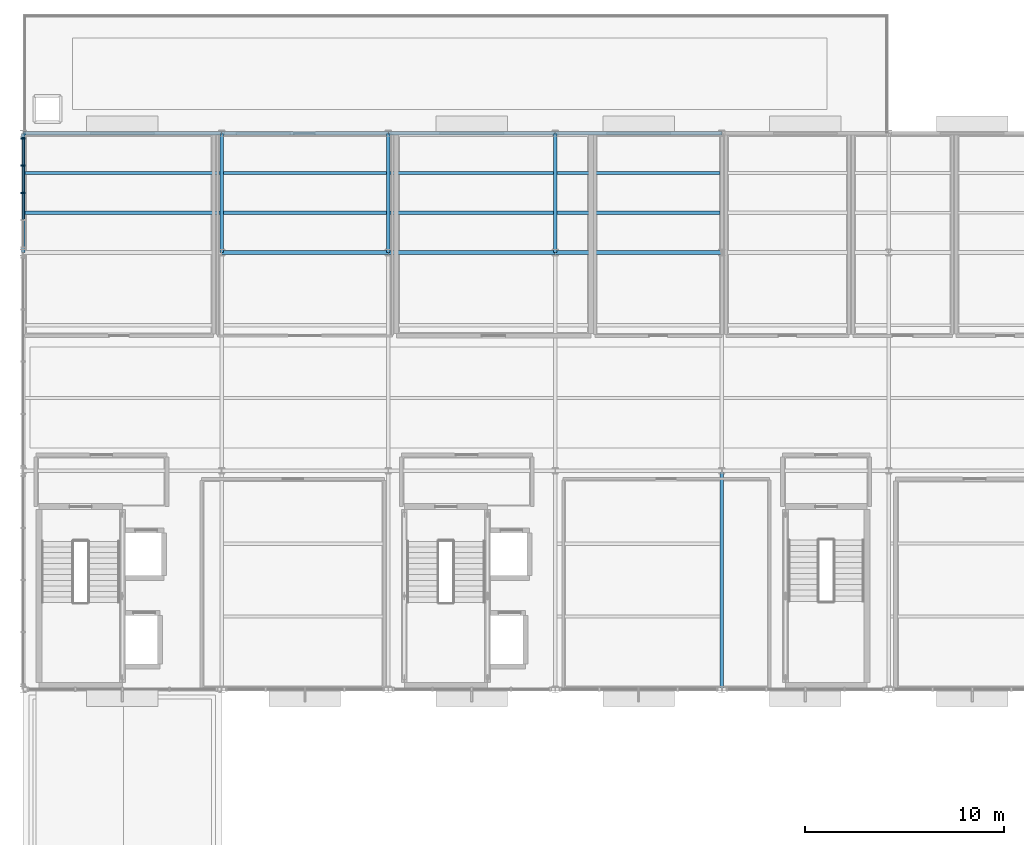
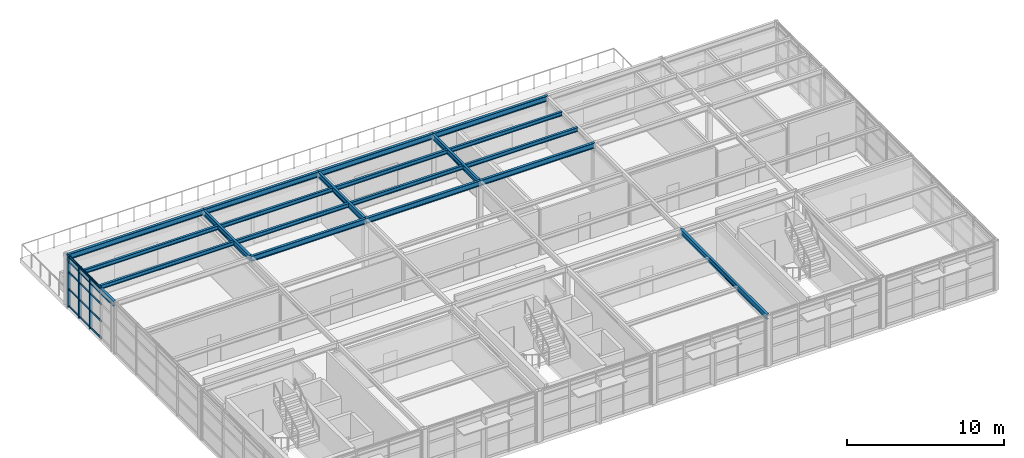
# One storey, part 9 of 21: 20 beams, 15 members, 1 element without a shape of its own.
"""IFC4 building model written with IfcOpenShell, lengths in metres."""

import ifcopenshell
import ifcopenshell.guid

model = None  # the IFC model being written
_history = None  # IfcOwnerHistory: only IFC2X3 demands one
_inside = {}  # id of a spatial element -> (the spatial element, [elements in it])
_under = {}  # id of a project, library or spatial element -> (it, [spatial elements below it])
_declared = {}  # id of a project -> (the project, [libraries it declares])
_typed = {}  # id of a type object -> (the type object, [elements of that type])
_made_of = {}  # id of a material, layer set ... -> (it, [elements and type objects made of it])


def new_model(schema):
    """Start an empty IFC model of exactly this schema.

    Asked for "IFC4X3", IfcOpenShell would pick the latest addendum, in which some entities
    have other attributes; the version numbers below select the first issue.
    IFC2X3 requires an IfcOwnerHistory on every rooted entity: one is made here for all.
    """
    global model, _history
    if schema == "IFC4X3":
        model = ifcopenshell.file(schema_version=(4, 3, 0, 0))
    else:
        model = ifcopenshell.file(schema=schema)
    _inside.clear()
    _under.clear()
    _declared.clear()
    _typed.clear()
    _made_of.clear()
    _history = None
    if model.schema == "IFC2X3":
        org = make("IfcOrganization", Name="unknown")
        user = make(
            "IfcPersonAndOrganization",
            ThePerson=make("IfcPerson", FamilyName="unknown"),
            TheOrganization=org,
        )
        app = make(
            "IfcApplication",
            ApplicationDeveloper=org,
            Version="unknown",
            ApplicationFullName="unknown",
            ApplicationIdentifier="unknown",
        )
        _history = make(
            "IfcOwnerHistory",
            OwningUser=user,
            OwningApplication=app,
            ChangeAction="ADDED",
            CreationDate=0,
        )
    return model


def make(cls, **values):
    """One entity of the class cls with the attributes given. An attribute that is None is left unset."""
    return model.create_entity(
        cls, **{name: value for name, value in values.items() if value is not None}
    )


def rooted(cls, **values):
    """An entity with a GlobalId (a new one), such as an element, a storey or a relation."""
    return make(cls, GlobalId=ifcopenshell.guid.new(), OwnerHistory=_history, **values)


def si_unit(unit_type, name, prefix=None):
    """IfcSIUnit, for example si_unit("LENGTHUNIT", "METRE", prefix="MILLI")."""
    return make("IfcSIUnit", UnitType=unit_type, Prefix=prefix, Name=name)


def assignment(units):
    """IfcUnitAssignment: the units of a project."""
    return None if units is None else make("IfcUnitAssignment", Units=units)


def point(xyz):
    """IfcCartesianPoint."""
    return None if xyz is None else make("IfcCartesianPoint", Coordinates=xyz)


def direction(xyz):
    """IfcDirection."""
    return None if xyz is None else make("IfcDirection", DirectionRatios=xyz)


def frame(location, z_axis=None, x_axis=None):
    """IfcAxis2Placement3D, a coordinate frame: its origin and axes. An axis left out is left unset."""
    return make(
        "IfcAxis2Placement3D",
        Location=point(location),
        Axis=direction(z_axis),
        RefDirection=direction(x_axis),
    )


def frame_2d(location, x_axis=None):
    """IfcAxis2Placement2D, a coordinate frame in the plane: its origin and x axis."""
    return make(
        "IfcAxis2Placement2D", Location=point(location), RefDirection=direction(x_axis)
    )


def origin():
    """The frame at (0, 0, 0) with its axes left unset."""
    return frame((0.0, 0.0, 0.0))


def origin_2d():
    """The frame at (0, 0) in the plane with its x axis left unset."""
    return frame_2d((0.0, 0.0))


def place(relative_to, where):
    """IfcLocalPlacement: puts the frame where relative to a parent placement (None: the world)."""
    return make(
        "IfcLocalPlacement", PlacementRelTo=relative_to, RelativePlacement=where
    )


def context(
    kind, dimensions, precision=None, world=None, true_north=None, identifier=None
):
    """IfcGeometricRepresentationContext, for example the 3D "Model" context."""
    return make(
        "IfcGeometricRepresentationContext",
        ContextIdentifier=identifier,
        ContextType=kind,
        CoordinateSpaceDimension=dimensions,
        Precision=precision,
        WorldCoordinateSystem=world,
        TrueNorth=true_north,
    )


def subcontext(parent, identifier, kind, view, scale=None):
    """IfcGeometricRepresentationSubContext, for example "Body" below "Model"."""
    return make(
        "IfcGeometricRepresentationSubContext",
        ContextIdentifier=identifier,
        ContextType=kind,
        ParentContext=parent,
        TargetScale=scale,
        TargetView=view,
    )


def project(units=None, contexts=None):
    """IfcProject with its units and contexts."""
    return rooted(
        "IfcProject",
        Name="project",
        RepresentationContexts=contexts,
        UnitsInContext=assignment(units),
    )


def spatial(cls, under=None, at=None, **own):
    """A site, building, storey or space (cls), placed at a placement, below another one or the project."""
    s = rooted(cls, ObjectPlacement=at, **own)
    if under is not None:
        _under.setdefault(under.id(), (under, []))[1].append(s)
    return s


def profile(cls, at=None, kind="AREA", **sizes):
    """A parametric profile (cls). Its sizes go by their IFC names, for example OverallWidth=200.0."""
    return make(cls, ProfileType=kind, Position=at, **sizes)


def rectangle(**sizes):
    """IfcRectangleProfileDef."""
    return profile("IfcRectangleProfileDef", **sizes)


def i_section(**sizes):
    """IfcIShapeProfileDef."""
    return profile("IfcIShapeProfileDef", **sizes)


def extrude(swept, where, along, depth):
    """IfcExtrudedAreaSolid: the profile swept, set in the frame where, extruded along a direction by depth."""
    return make(
        "IfcExtrudedAreaSolid",
        SweptArea=swept,
        Position=where,
        ExtrudedDirection=direction(along),
        Depth=depth,
    )


def shape(context_of_items, identifier, shape_type, items):
    """IfcShapeRepresentation: the items that make up one representation, for example the "Body"."""
    return make(
        "IfcShapeRepresentation",
        ContextOfItems=context_of_items,
        RepresentationIdentifier=identifier,
        RepresentationType=shape_type,
        Items=items,
    )


def material(Name=None, Category=None):
    """IfcMaterial."""
    return make("IfcMaterial", Name=Name, Category=Category)


def layer(
    of_material, thickness, ventilated=None, Name=None, Category=None, Priority=None
):
    """IfcMaterialLayer: one layer of a wall or slab, of a material (None: an air gap)."""
    return make(
        "IfcMaterialLayer",
        Material=of_material,
        LayerThickness=thickness,
        IsVentilated=ventilated,
        Name=Name,
        Category=Category,
        Priority=Priority,
    )


def layer_set(layers, Name=None):
    """IfcMaterialLayerSet."""
    return make("IfcMaterialLayerSet", MaterialLayers=layers, LayerSetName=Name)


def material_profile(
    of_material, cross_section, Name=None, Category=None, Priority=None
):
    """IfcMaterialProfile: a cross section and its material."""
    return make(
        "IfcMaterialProfile",
        Name=Name,
        Material=of_material,
        Profile=cross_section,
        Priority=Priority,
        Category=Category,
    )


def profile_set(profiles, Name=None, composite=None):
    """IfcMaterialProfileSet."""
    return make(
        "IfcMaterialProfileSet",
        Name=Name,
        MaterialProfiles=profiles,
        CompositeProfile=composite,
    )


def made_of(thing, what):
    """Note that an element or type object is made of a material, layer set ...; save() writes the relation."""
    if what is not None:
        _made_of.setdefault(what.id(), (what, []))[1].append(thing)
    return thing


def type_object(cls, material=None, **own):
    """A type object (cls), such as IfcWallType, which elements share."""
    return made_of(rooted(cls, **own), material)


def element(
    cls,
    number,
    at=None,
    inside=None,
    cuts=None,
    type_object=None,
    material=None,
    context=None,
    identifier="Body",
    shape_type=None,
    held_by="IfcProductDefinitionShape",
    body=None,
    shapes=None,
    **own,
):
    """One element of the class cls, such as IfcWall. Its Tag is "e" and its number.

    at: its placement. inside: the storey or other place that contains it. cuts: it is an
    opening in that element (IfcRelVoidsElement). A single representation is given by context,
    identifier, shape_type and body (its items); several are given by shapes. held_by: the class
    of the entity that holds the representations. save() writes the other relations.
    """
    e = rooted(cls, Tag="e%d" % number, ObjectPlacement=at, **own)
    if body is not None:
        shapes = [shape(context, identifier, shape_type, body)]
    if shapes is not None:
        e.Representation = make(held_by, Representations=shapes)
    if inside is not None:
        _inside.setdefault(inside.id(), (inside, []))[1].append(e)
    if cuts is not None:
        rooted(
            "IfcRelVoidsElement", RelatingBuildingElement=cuts, RelatedOpeningElement=e
        )
    if type_object is not None:
        _typed.setdefault(type_object.id(), (type_object, []))[1].append(e)
    return made_of(e, material)


def aggregate(whole, parts):
    """IfcRelAggregates: a whole, such as a stair, and the parts it consists of."""
    return rooted("IfcRelAggregates", RelatingObject=whole, RelatedObjects=parts)


def save(model, path):
    """Write the relations noted so far, then the file.

    IfcRelAggregates (storeys below a building ...), IfcRelContainedInSpatialStructure (elements
    in a storey), IfcRelDefinesByType, IfcRelAssociatesMaterial and IfcRelDeclares: one each for
    every whole, place, type object, material and project.
    """
    for whole, parts in _under.values():
        aggregate(whole, parts)
    for where, things in _inside.values():
        rooted(
            "IfcRelContainedInSpatialStructure",
            RelatedElements=things,
            RelatingStructure=where,
        )
    for kind, things in _typed.values():
        rooted("IfcRelDefinesByType", RelatedObjects=things, RelatingType=kind)
    for what, things in _made_of.values():
        rooted("IfcRelAssociatesMaterial", RelatedObjects=things, RelatingMaterial=what)
    for by, libraries in _declared.values():
        rooted("IfcRelDeclares", RelatingContext=by, RelatedDefinitions=libraries)
    model.write(path)


model = new_model("IFC4")

# Units and contexts
model_context = context("Model", 3, precision=1e-05, world=origin(), true_north=direction((0.0, 1.0)))
body_context = subcontext(model_context, "Body", "Model", "MODEL_VIEW")
ifc_project = project(units=[si_unit("LENGTHUNIT", "METRE"), si_unit("AREAUNIT", "SQUARE_METRE"), si_unit("VOLUMEUNIT", "CUBIC_METRE"), si_unit("PLANEANGLEUNIT", "RADIAN"), si_unit("MASSUNIT", "GRAM", prefix="KILO")], contexts=[model_context])

# Site, building, storey
site_placement = place(None, origin())
site = spatial("IfcSite", under=ifc_project, at=site_placement, CompositionType="ELEMENT")
building_placement = place(site_placement, origin())
building = spatial("IfcBuilding", under=site, at=building_placement, Name="Sitalva Quay Ferry Terminal", CompositionType="ELEMENT")
storey_placement = place(building_placement, frame((0.0, 0.0, 14.39990234375)))
storey = spatial("IfcBuildingStorey", under=building, at=storey_placement, Name="L04", CompositionType="ELEMENT", Elevation=14.39990234375)

# Beams
ifc_material_1 = material(Name="Structural Steel S355JR", Category="steel")
ifc_material_profile_1 = material_profile(ifc_material_1, i_section(OverallWidth=0.178955078125, OverallDepth=0.409912109375, WebThickness=0.0087890625, FlangeThickness=0.014404296875, FilletRadius=0.012939453125, at=origin_2d()), Name="W410x67")
ifc_profile_set_1 = profile_set([ifc_material_profile_1], Name="Structural Steel S355JR")
beam_type_1 = type_object("IfcBeamType", Name="Beam_W410x67", PredefinedType="BEAM", material=ifc_profile_set_1)
for number, where, z_axis, x_axis, name in (
    (1, (74.0, 100.0, 3.7451171875), (0.0, 1.0, 0.0), (-1.0, 0.0, 0.0), "L04 Primary Y girder 1347"),
    (2, (84.0, 100.0, 3.7451171875), (0.0, 1.0, 0.0), (-1.0, 0.0, 0.0), "L04 Primary Y girder 1350"),
    (3, (92.39990234375, 100.0, 3.7451171875), (0.0, 1.0, 0.0), (-1.0, 0.0, 0.0), "L04 Primary Y girder 1353"),
    (4, (100.800048828125, 100.0, 3.7451171875), (0.0, 1.0, 0.0), (-1.0, 0.0, 0.0), "L04 Primary Y girder 1356"),
):
    element("IfcBeam", number, at=place(storey_placement, frame(where, z_axis=z_axis, x_axis=x_axis)), inside=storey, type_object=beam_type_1, Name=name, PredefinedType="BEAM", context=body_context, shape_type="SweptSolid", body=[
        extrude(i_section(OverallWidth=0.178955078125, OverallDepth=0.409912109375, WebThickness=0.0087890625, FlangeThickness=0.014404296875, FilletRadius=0.012939453125, at=origin_2d()), origin(), (0.0, 0.0, 1.0), 6.0),
    ])
beam_1_placement = place(storey_placement, frame((109.199951171875, 78.0, 3.7451171875), z_axis=(0.0, 1.0, 0.0), x_axis=(-1.0, 0.0, 0.0)))
element("IfcBeam", 5, at=beam_1_placement, inside=storey, type_object=beam_type_1, Name="L04 Primary Y girder 1357", PredefinedType="BEAM", context=body_context, shape_type="SweptSolid", body=[
    extrude(i_section(OverallWidth=0.178955078125, OverallDepth=0.409912109375, WebThickness=0.0087890625, FlangeThickness=0.014404296875, FilletRadius=0.012939453125, at=origin_2d()), origin(), (0.0, 0.0, 1.0), 11.0),
])
ifc_material_2 = material(Name="Structural Steel S355JR", Category="steel")
ifc_material_profile_2 = material_profile(ifc_material_2, i_section(OverallWidth=0.180908203125, OverallDepth=0.4169921875, WebThickness=0.010986328125, FlangeThickness=0.018310546875, FilletRadius=0.012939453125, at=origin_2d()), Name="W410x85")
ifc_profile_set_2 = profile_set([ifc_material_profile_2], Name="Structural Steel S355JR")
beam_type_2 = type_object("IfcBeamType", Name="Beam_W410x85", PredefinedType="BEAM", material=ifc_profile_set_2)
beam_2_placement = place(storey_placement, frame((84.0, 100.0, 3.74169921875), z_axis=(1.0, 0.0, 0.0), x_axis=(0.0, 1.0, 0.0)))
element("IfcBeam", 6, at=beam_2_placement, inside=storey, type_object=beam_type_2, Name="L04 Primary X girder 1336", PredefinedType="BEAM", context=body_context, shape_type="SweptSolid", body=[
    extrude(i_section(OverallWidth=0.180908203125, OverallDepth=0.4169921875, WebThickness=0.010986328125, FlangeThickness=0.018310546875, FilletRadius=0.012939453125, at=origin_2d()), origin(), (0.0, 0.0, 1.0), 8.39990234375),
])
beam_3_placement = place(storey_placement, frame((92.39990234375, 100.0, 3.74169921875), z_axis=(1.0, 0.0, 0.0), x_axis=(0.0, 1.0, 0.0)))
element("IfcBeam", 7, at=beam_3_placement, inside=storey, type_object=beam_type_2, Name="L04 Primary X girder 1337", PredefinedType="BEAM", context=body_context, shape_type="SweptSolid", body=[
    extrude(i_section(OverallWidth=0.180908203125, OverallDepth=0.4169921875, WebThickness=0.010986328125, FlangeThickness=0.018310546875, FilletRadius=0.012939453125, at=origin_2d()), origin(), (0.0, 0.0, 1.0), 8.400146484375),
])
beam_4_placement = place(storey_placement, frame((100.800048828125, 100.0, 3.74169921875), z_axis=(1.0, 0.0, 0.0), x_axis=(0.0, 1.0, 0.0)))
element("IfcBeam", 8, at=beam_4_placement, inside=storey, type_object=beam_type_2, Name="L04 Primary X girder 1338", PredefinedType="BEAM", context=body_context, shape_type="SweptSolid", body=[
    extrude(i_section(OverallWidth=0.180908203125, OverallDepth=0.4169921875, WebThickness=0.010986328125, FlangeThickness=0.018310546875, FilletRadius=0.012939453125, at=origin_2d()), origin(), (0.0, 0.0, 1.0), 8.39990234375),
])
beam_5_placement = place(storey_placement, frame((74.0, 106.0, 3.74169921875), z_axis=(1.0, 0.0, 0.0), x_axis=(0.0, 1.0, 0.0)))
element("IfcBeam", 9, at=beam_5_placement, inside=storey, type_object=beam_type_2, Name="L04 Primary X girder 1340", PredefinedType="BEAM", context=body_context, shape_type="SweptSolid", body=[
    extrude(i_section(OverallWidth=0.180908203125, OverallDepth=0.4169921875, WebThickness=0.010986328125, FlangeThickness=0.018310546875, FilletRadius=0.012939453125, at=origin_2d()), origin(), (0.0, 0.0, 1.0), 10.0),
])
beam_6_placement = place(storey_placement, frame((84.0, 106.0, 3.74169921875), z_axis=(1.0, 0.0, 0.0), x_axis=(0.0, 1.0, 0.0)))
element("IfcBeam", 10, at=beam_6_placement, inside=storey, type_object=beam_type_2, Name="L04 Primary X girder 1341", PredefinedType="BEAM", context=body_context, shape_type="SweptSolid", body=[
    extrude(i_section(OverallWidth=0.180908203125, OverallDepth=0.4169921875, WebThickness=0.010986328125, FlangeThickness=0.018310546875, FilletRadius=0.012939453125, at=origin_2d()), origin(), (0.0, 0.0, 1.0), 8.39990234375),
])
beam_7_placement = place(storey_placement, frame((92.39990234375, 106.0, 3.74169921875), z_axis=(1.0, 0.0, 0.0), x_axis=(0.0, 1.0, 0.0)))
element("IfcBeam", 11, at=beam_7_placement, inside=storey, type_object=beam_type_2, Name="L04 Primary X girder 1342", PredefinedType="BEAM", context=body_context, shape_type="SweptSolid", body=[
    extrude(i_section(OverallWidth=0.180908203125, OverallDepth=0.4169921875, WebThickness=0.010986328125, FlangeThickness=0.018310546875, FilletRadius=0.012939453125, at=origin_2d()), origin(), (0.0, 0.0, 1.0), 8.400146484375),
])
beam_8_placement = place(storey_placement, frame((100.800048828125, 106.0, 3.74169921875), z_axis=(1.0, 0.0, 0.0), x_axis=(0.0, 1.0, 0.0)))
element("IfcBeam", 12, at=beam_8_placement, inside=storey, type_object=beam_type_2, Name="L04 Primary X girder 1343", PredefinedType="BEAM", context=body_context, shape_type="SweptSolid", body=[
    extrude(i_section(OverallWidth=0.180908203125, OverallDepth=0.4169921875, WebThickness=0.010986328125, FlangeThickness=0.018310546875, FilletRadius=0.012939453125, at=origin_2d()), origin(), (0.0, 0.0, 1.0), 8.39990234375),
])
ifc_material_3 = material(Name="Structural Steel S355JR", Category="steel")
ifc_material_profile_3 = material_profile(ifc_material_3, i_section(OverallWidth=0.166015625, OverallDepth=0.31298828125, WebThickness=0.006591796875, FlangeThickness=0.01123046875, FilletRadius=0.010986328125, at=origin_2d()), Name="W310x45")
ifc_profile_set_3 = profile_set([ifc_material_profile_3], Name="Structural Steel S355JR")
beam_type_3 = type_object("IfcBeamType", Name="Joist_W310x45", PredefinedType="JOIST", material=ifc_profile_set_3)
beam_9_placement = place(storey_placement, frame((74.089599609375, 102.0, 3.793701171875), z_axis=(1.0, 0.0, 0.0), x_axis=(0.0, 1.0, 0.0)))
element("IfcBeam", 13, at=beam_9_placement, inside=storey, type_object=beam_type_3, Name="L04 Secondary joist 1377", PredefinedType="JOIST", context=body_context, shape_type="SweptSolid", body=[
    extrude(i_section(OverallWidth=0.166015625, OverallDepth=0.31298828125, WebThickness=0.006591796875, FlangeThickness=0.01123046875, FilletRadius=0.010986328125, at=origin_2d()), origin(), (0.0, 0.0, 1.0), 9.82080078125),
])
for number, where, z_axis, x_axis, name in (
    (14, (84.089599609375, 102.0, 3.793701171875), (1.0, 0.0, 0.0), (0.0, 1.0, 0.0), "L04 Secondary joist 1378"),
    (15, (92.489501953125, 102.0, 3.793701171875), (1.0, 0.0, 0.0), (0.0, 1.0, 0.0), "L04 Secondary joist 1379"),
):
    element("IfcBeam", number, at=place(storey_placement, frame(where, z_axis=z_axis, x_axis=x_axis)), inside=storey, type_object=beam_type_3, Name=name, PredefinedType="JOIST", context=body_context, shape_type="SweptSolid", body=[
        extrude(i_section(OverallWidth=0.166015625, OverallDepth=0.31298828125, WebThickness=0.006591796875, FlangeThickness=0.01123046875, FilletRadius=0.010986328125, at=origin_2d()), origin(), (0.0, 0.0, 1.0), 8.220947265625),
    ])
beam_10_placement = place(storey_placement, frame((100.889404296875, 102.0, 3.793701171875), z_axis=(1.0, 0.0, 0.0), x_axis=(0.0, 1.0, 0.0)))
element("IfcBeam", 16, at=beam_10_placement, inside=storey, type_object=beam_type_3, Name="L04 Secondary joist 1380", PredefinedType="JOIST", context=body_context, shape_type="SweptSolid", body=[
    extrude(i_section(OverallWidth=0.166015625, OverallDepth=0.31298828125, WebThickness=0.006591796875, FlangeThickness=0.01123046875, FilletRadius=0.010986328125, at=origin_2d()), origin(), (0.0, 0.0, 1.0), 8.22119140625),
])
beam_11_placement = place(storey_placement, frame((74.089599609375, 104.0, 3.793701171875), z_axis=(1.0, 0.0, 0.0), x_axis=(0.0, 1.0, 0.0)))
element("IfcBeam", 17, at=beam_11_placement, inside=storey, type_object=beam_type_3, Name="L04 Secondary joist 1382", PredefinedType="JOIST", context=body_context, shape_type="SweptSolid", body=[
    extrude(i_section(OverallWidth=0.166015625, OverallDepth=0.31298828125, WebThickness=0.006591796875, FlangeThickness=0.01123046875, FilletRadius=0.010986328125, at=origin_2d()), origin(), (0.0, 0.0, 1.0), 9.82080078125),
])
for number, where, z_axis, x_axis, name in (
    (18, (84.089599609375, 104.0, 3.793701171875), (1.0, 0.0, 0.0), (0.0, 1.0, 0.0), "L04 Secondary joist 1383"),
    (19, (92.489501953125, 104.0, 3.793701171875), (1.0, 0.0, 0.0), (0.0, 1.0, 0.0), "L04 Secondary joist 1384"),
):
    element("IfcBeam", number, at=place(storey_placement, frame(where, z_axis=z_axis, x_axis=x_axis)), inside=storey, type_object=beam_type_3, Name=name, PredefinedType="JOIST", context=body_context, shape_type="SweptSolid", body=[
        extrude(i_section(OverallWidth=0.166015625, OverallDepth=0.31298828125, WebThickness=0.006591796875, FlangeThickness=0.01123046875, FilletRadius=0.010986328125, at=origin_2d()), origin(), (0.0, 0.0, 1.0), 8.220947265625),
    ])
beam_12_placement = place(storey_placement, frame((100.889404296875, 104.0, 3.793701171875), z_axis=(1.0, 0.0, 0.0), x_axis=(0.0, 1.0, 0.0)))
element("IfcBeam", 20, at=beam_12_placement, inside=storey, type_object=beam_type_3, Name="L04 Secondary joist 1385", PredefinedType="JOIST", context=body_context, shape_type="SweptSolid", body=[
    extrude(i_section(OverallWidth=0.166015625, OverallDepth=0.31298828125, WebThickness=0.006591796875, FlangeThickness=0.01123046875, FilletRadius=0.010986328125, at=origin_2d()), origin(), (0.0, 0.0, 1.0), 8.22119140625),
])

# Curtain wall, members
ifc_material_4 = material(Name="Anodised Aluminium & Low-E Glazing", Category="aluminium")
ifc_layer = layer(ifc_material_4, 0.159912109375)
ifc_layer_set = layer_set([ifc_layer], Name="Anodised Aluminium & Low-E Glazing")
curtain_wall_type = type_object("IfcCurtainWallType", Name="CW_Office_Unitised", PredefinedType="USERDEFINED", material=ifc_layer_set)
curtain_wall_placement = place(storey_placement, origin())
curtain_wall = element("IfcCurtainWall", 21, at=curtain_wall_placement, inside=storey, type_object=curtain_wall_type, Name="L04 pilotage west glazing (CW-L04-141)", ObjectType="CURTAIN_WALL", PredefinedType="USERDEFINED")
ifc_material_5 = material(Name="Anodised Aluminium 6063-T6", Category="aluminium")
ifc_material_profile_4 = material_profile(ifc_material_5, rectangle(XDim=0.074951171875, YDim=0.219970703125, at=origin_2d()), Name="ALU75x220")
ifc_profile_set_4 = profile_set([ifc_material_profile_4], Name="Anodised Aluminium 6063-T6")
member_type_1 = type_object("IfcMemberType", Name="Mullion_Alu_75x160", PredefinedType="MULLION", material=ifc_profile_set_4)
member_1_placement = place(storey_placement, frame((74.0, 103.0, 0.0), z_axis=(0.0, 0.0, 1.0), x_axis=(0.0, 1.0, 0.0)))
member_1 = element("IfcMember", 22, at=member_1_placement, type_object=member_type_1, Name="CW-L04-141-M2", PredefinedType="MULLION", context=body_context, shape_type="SweptSolid", body=[
    extrude(rectangle(XDim=0.074951171875, YDim=0.219970703125, at=origin_2d()), origin(), (0.0, 0.0, 1.0), 3.9501953125),
])
member_2_placement = place(storey_placement, frame((74.0, 104.375, 0.0), z_axis=(0.0, 0.0, 1.0), x_axis=(0.0, 1.0, 0.0)))
member_2 = element("IfcMember", 23, at=member_2_placement, type_object=member_type_1, Name="CW-L04-141-M3", PredefinedType="MULLION", context=body_context, shape_type="SweptSolid", body=[
    extrude(rectangle(XDim=0.074951171875, YDim=0.219970703125, at=origin_2d()), origin(), (0.0, 0.0, 1.0), 3.9501953125),
])
member_3_placement = place(storey_placement, frame((74.0, 105.75, 0.0), z_axis=(0.0, 0.0, 1.0), x_axis=(0.0, 1.0, 0.0)))
member_3 = element("IfcMember", 24, at=member_3_placement, type_object=member_type_1, Name="CW-L04-141-M4", PredefinedType="MULLION", context=body_context, shape_type="SweptSolid", body=[
    extrude(rectangle(XDim=0.074951171875, YDim=0.219970703125, at=origin_2d()), origin(), (0.0, 0.0, 1.0), 3.9501953125),
])
ifc_material_6 = material(Name="Anodised Aluminium 6063-T6", Category="aluminium")
ifc_material_profile_5 = material_profile(ifc_material_6, rectangle(XDim=0.074951171875, YDim=0.14990234375, at=origin_2d()), Name="ALU75x150")
ifc_profile_set_5 = profile_set([ifc_material_profile_5], Name="Anodised Aluminium 6063-T6")
member_type_2 = type_object("IfcMemberType", Name="Transom_Alu_75x140", PredefinedType="MULLION", material=ifc_profile_set_5)
member_4_placement = place(storey_placement, frame((74.0, 101.66259765625, 0.0751953125), z_axis=(0.0, 1.0, 0.0), x_axis=(-1.0, 0.0, 0.0)))
member_4 = element("IfcMember", 25, at=member_4_placement, type_object=member_type_2, Name="CW-L04-141-T1-0", ObjectType="TRANSOM", PredefinedType="USERDEFINED", context=body_context, shape_type="SweptSolid", body=[
    extrude(rectangle(XDim=0.074951171875, YDim=0.14990234375, at=origin_2d()), origin(), (0.0, 0.0, 1.0), 1.2998046875),
])
member_5_placement = place(storey_placement, frame((74.0, 101.66259765625, 1.391845703125), z_axis=(0.0, 1.0, 0.0), x_axis=(-1.0, 0.0, 0.0)))
member_5 = element("IfcMember", 26, at=member_5_placement, type_object=member_type_2, Name="CW-L04-141-T1-1", ObjectType="TRANSOM", PredefinedType="USERDEFINED", context=body_context, shape_type="SweptSolid", body=[
    extrude(rectangle(XDim=0.074951171875, YDim=0.14990234375, at=origin_2d()), origin(), (0.0, 0.0, 1.0), 1.2998046875),
])
member_6_placement = place(storey_placement, frame((74.0, 101.66259765625, 2.70849609375), z_axis=(0.0, 1.0, 0.0), x_axis=(-1.0, 0.0, 0.0)))
member_6 = element("IfcMember", 27, at=member_6_placement, type_object=member_type_2, Name="CW-L04-141-T1-2", ObjectType="TRANSOM", PredefinedType="USERDEFINED", context=body_context, shape_type="SweptSolid", body=[
    extrude(rectangle(XDim=0.074951171875, YDim=0.14990234375, at=origin_2d()), origin(), (0.0, 0.0, 1.0), 1.2998046875),
])
member_7_placement = place(storey_placement, frame((74.0, 101.66259765625, 3.875), z_axis=(0.0, 1.0, 0.0), x_axis=(-1.0, 0.0, 0.0)))
member_7 = element("IfcMember", 28, at=member_7_placement, type_object=member_type_2, Name="CW-L04-141-T1-3", ObjectType="TRANSOM", PredefinedType="USERDEFINED", context=body_context, shape_type="SweptSolid", body=[
    extrude(rectangle(XDim=0.074951171875, YDim=0.14990234375, at=origin_2d()), origin(), (0.0, 0.0, 1.0), 1.2998046875),
])
member_8_placement = place(storey_placement, frame((74.0, 103.03759765625, 0.0751953125), z_axis=(0.0, 1.0, 0.0), x_axis=(-1.0, 0.0, 0.0)))
member_8 = element("IfcMember", 29, at=member_8_placement, type_object=member_type_2, Name="CW-L04-141-T2-0", ObjectType="TRANSOM", PredefinedType="USERDEFINED", context=body_context, shape_type="SweptSolid", body=[
    extrude(rectangle(XDim=0.074951171875, YDim=0.14990234375, at=origin_2d()), origin(), (0.0, 0.0, 1.0), 1.2998046875),
])
member_9_placement = place(storey_placement, frame((74.0, 103.03759765625, 1.391845703125), z_axis=(0.0, 1.0, 0.0), x_axis=(-1.0, 0.0, 0.0)))
member_9 = element("IfcMember", 30, at=member_9_placement, type_object=member_type_2, Name="CW-L04-141-T2-1", ObjectType="TRANSOM", PredefinedType="USERDEFINED", context=body_context, shape_type="SweptSolid", body=[
    extrude(rectangle(XDim=0.074951171875, YDim=0.14990234375, at=origin_2d()), origin(), (0.0, 0.0, 1.0), 1.2998046875),
])
member_10_placement = place(storey_placement, frame((74.0, 103.03759765625, 2.70849609375), z_axis=(0.0, 1.0, 0.0), x_axis=(-1.0, 0.0, 0.0)))
member_10 = element("IfcMember", 31, at=member_10_placement, type_object=member_type_2, Name="CW-L04-141-T2-2", ObjectType="TRANSOM", PredefinedType="USERDEFINED", context=body_context, shape_type="SweptSolid", body=[
    extrude(rectangle(XDim=0.074951171875, YDim=0.14990234375, at=origin_2d()), origin(), (0.0, 0.0, 1.0), 1.2998046875),
])
member_11_placement = place(storey_placement, frame((74.0, 103.03759765625, 3.875), z_axis=(0.0, 1.0, 0.0), x_axis=(-1.0, 0.0, 0.0)))
member_11 = element("IfcMember", 32, at=member_11_placement, type_object=member_type_2, Name="CW-L04-141-T2-3", ObjectType="TRANSOM", PredefinedType="USERDEFINED", context=body_context, shape_type="SweptSolid", body=[
    extrude(rectangle(XDim=0.074951171875, YDim=0.14990234375, at=origin_2d()), origin(), (0.0, 0.0, 1.0), 1.2998046875),
])
member_12_placement = place(storey_placement, frame((74.0, 104.41259765625, 0.0751953125), z_axis=(0.0, 1.0, 0.0), x_axis=(-1.0, 0.0, 0.0)))
member_12 = element("IfcMember", 33, at=member_12_placement, type_object=member_type_2, Name="CW-L04-141-T3-0", ObjectType="TRANSOM", PredefinedType="USERDEFINED", context=body_context, shape_type="SweptSolid", body=[
    extrude(rectangle(XDim=0.074951171875, YDim=0.14990234375, at=origin_2d()), origin(), (0.0, 0.0, 1.0), 1.2998046875),
])
member_13_placement = place(storey_placement, frame((74.0, 104.41259765625, 1.391845703125), z_axis=(0.0, 1.0, 0.0), x_axis=(-1.0, 0.0, 0.0)))
member_13 = element("IfcMember", 34, at=member_13_placement, type_object=member_type_2, Name="CW-L04-141-T3-1", ObjectType="TRANSOM", PredefinedType="USERDEFINED", context=body_context, shape_type="SweptSolid", body=[
    extrude(rectangle(XDim=0.074951171875, YDim=0.14990234375, at=origin_2d()), origin(), (0.0, 0.0, 1.0), 1.2998046875),
])
member_14_placement = place(storey_placement, frame((74.0, 104.41259765625, 2.70849609375), z_axis=(0.0, 1.0, 0.0), x_axis=(-1.0, 0.0, 0.0)))
member_14 = element("IfcMember", 35, at=member_14_placement, type_object=member_type_2, Name="CW-L04-141-T3-2", ObjectType="TRANSOM", PredefinedType="USERDEFINED", context=body_context, shape_type="SweptSolid", body=[
    extrude(rectangle(XDim=0.074951171875, YDim=0.14990234375, at=origin_2d()), origin(), (0.0, 0.0, 1.0), 1.2998046875),
])
member_15_placement = place(storey_placement, frame((74.0, 104.41259765625, 3.875), z_axis=(0.0, 1.0, 0.0), x_axis=(-1.0, 0.0, 0.0)))
member_15 = element("IfcMember", 36, at=member_15_placement, type_object=member_type_2, Name="CW-L04-141-T3-3", ObjectType="TRANSOM", PredefinedType="USERDEFINED", context=body_context, shape_type="SweptSolid", body=[
    extrude(rectangle(XDim=0.074951171875, YDim=0.14990234375, at=origin_2d()), origin(), (0.0, 0.0, 1.0), 1.2998046875),
])
aggregate(curtain_wall, [member_1, member_2, member_3, member_4, member_5, member_6, member_7, member_8, member_9, member_10, member_11, member_12, member_13, member_14, member_15])

save(model, "model.ifc")
